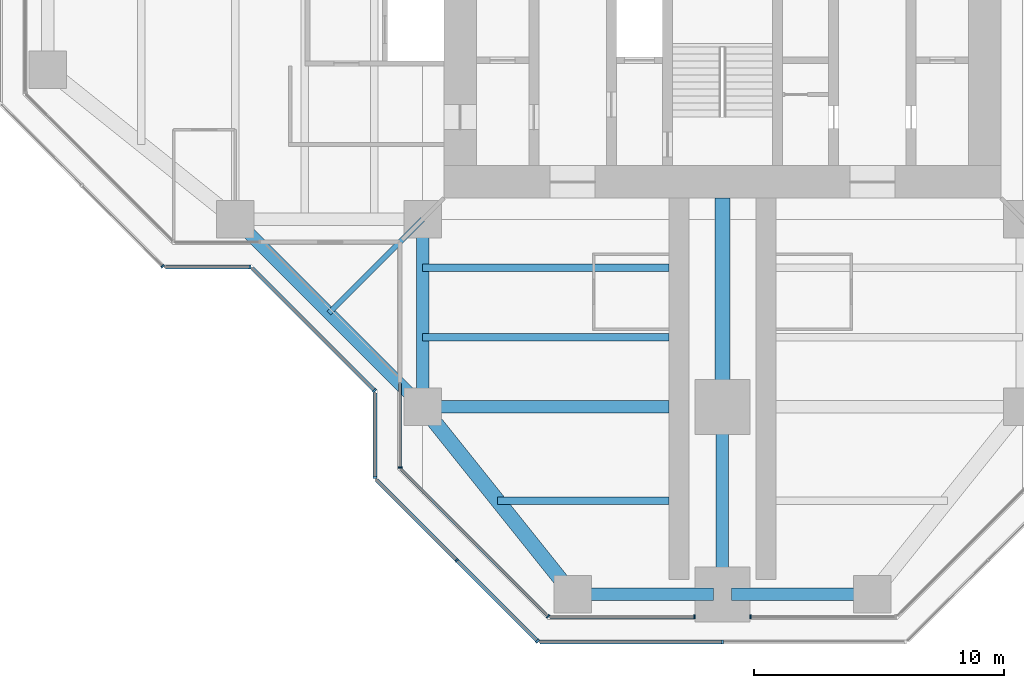
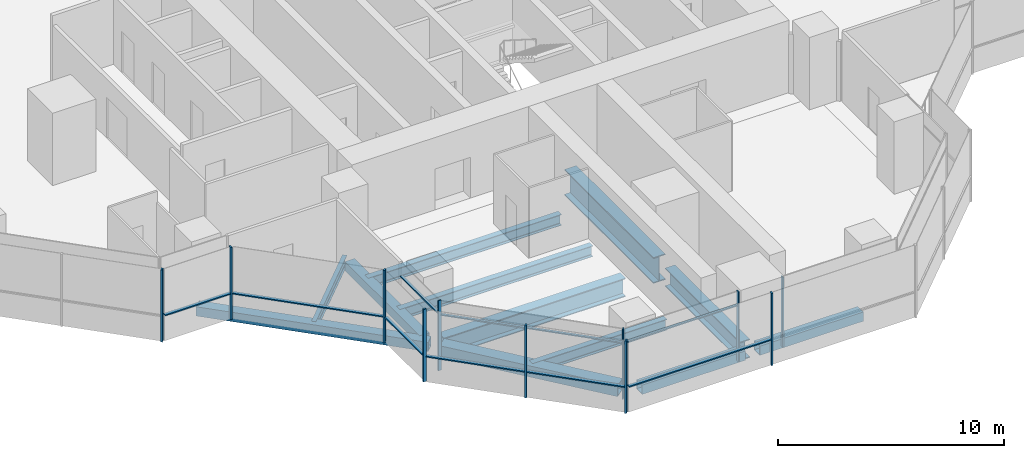
# One storey, part 2 of 17: 20 members, 12 beams, 10 elements without a shape of their own.
"""IFC4 building model written with IfcOpenShell, lengths in metres."""

import ifcopenshell
import ifcopenshell.guid

model = None  # the IFC model being written
_history = None  # IfcOwnerHistory: only IFC2X3 demands one
_inside = {}  # id of a spatial element -> (the spatial element, [elements in it])
_under = {}  # id of a project, library or spatial element -> (it, [spatial elements below it])
_declared = {}  # id of a project -> (the project, [libraries it declares])
_typed = {}  # id of a type object -> (the type object, [elements of that type])
_made_of = {}  # id of a material, layer set ... -> (it, [elements and type objects made of it])


def new_model(schema):
    """Start an empty IFC model of exactly this schema.

    Asked for "IFC4X3", IfcOpenShell would pick the latest addendum, in which some entities
    have other attributes; the version numbers below select the first issue.
    IFC2X3 requires an IfcOwnerHistory on every rooted entity: one is made here for all.
    """
    global model, _history
    if schema == "IFC4X3":
        model = ifcopenshell.file(schema_version=(4, 3, 0, 0))
    else:
        model = ifcopenshell.file(schema=schema)
    _inside.clear()
    _under.clear()
    _declared.clear()
    _typed.clear()
    _made_of.clear()
    _history = None
    if model.schema == "IFC2X3":
        org = make("IfcOrganization", Name="unknown")
        user = make(
            "IfcPersonAndOrganization",
            ThePerson=make("IfcPerson", FamilyName="unknown"),
            TheOrganization=org,
        )
        app = make(
            "IfcApplication",
            ApplicationDeveloper=org,
            Version="unknown",
            ApplicationFullName="unknown",
            ApplicationIdentifier="unknown",
        )
        _history = make(
            "IfcOwnerHistory",
            OwningUser=user,
            OwningApplication=app,
            ChangeAction="ADDED",
            CreationDate=0,
        )
    return model


def make(cls, **values):
    """One entity of the class cls with the attributes given. An attribute that is None is left unset."""
    return model.create_entity(
        cls, **{name: value for name, value in values.items() if value is not None}
    )


def rooted(cls, **values):
    """An entity with a GlobalId (a new one), such as an element, a storey or a relation."""
    return make(cls, GlobalId=ifcopenshell.guid.new(), OwnerHistory=_history, **values)


def si_unit(unit_type, name, prefix=None):
    """IfcSIUnit, for example si_unit("LENGTHUNIT", "METRE", prefix="MILLI")."""
    return make("IfcSIUnit", UnitType=unit_type, Prefix=prefix, Name=name)


def assignment(units):
    """IfcUnitAssignment: the units of a project."""
    return None if units is None else make("IfcUnitAssignment", Units=units)


def point(xyz):
    """IfcCartesianPoint."""
    return None if xyz is None else make("IfcCartesianPoint", Coordinates=xyz)


def direction(xyz):
    """IfcDirection."""
    return None if xyz is None else make("IfcDirection", DirectionRatios=xyz)


def frame(location, z_axis=None, x_axis=None):
    """IfcAxis2Placement3D, a coordinate frame: its origin and axes. An axis left out is left unset."""
    return make(
        "IfcAxis2Placement3D",
        Location=point(location),
        Axis=direction(z_axis),
        RefDirection=direction(x_axis),
    )


def frame_2d(location, x_axis=None):
    """IfcAxis2Placement2D, a coordinate frame in the plane: its origin and x axis."""
    return make(
        "IfcAxis2Placement2D", Location=point(location), RefDirection=direction(x_axis)
    )


def origin():
    """The frame at (0, 0, 0) with its axes left unset."""
    return frame((0.0, 0.0, 0.0))


def origin_2d():
    """The frame at (0, 0) in the plane with its x axis left unset."""
    return frame_2d((0.0, 0.0))


def place(relative_to, where):
    """IfcLocalPlacement: puts the frame where relative to a parent placement (None: the world)."""
    return make(
        "IfcLocalPlacement", PlacementRelTo=relative_to, RelativePlacement=where
    )


def context(
    kind, dimensions, precision=None, world=None, true_north=None, identifier=None
):
    """IfcGeometricRepresentationContext, for example the 3D "Model" context."""
    return make(
        "IfcGeometricRepresentationContext",
        ContextIdentifier=identifier,
        ContextType=kind,
        CoordinateSpaceDimension=dimensions,
        Precision=precision,
        WorldCoordinateSystem=world,
        TrueNorth=true_north,
    )


def subcontext(parent, identifier, kind, view, scale=None):
    """IfcGeometricRepresentationSubContext, for example "Body" below "Model"."""
    return make(
        "IfcGeometricRepresentationSubContext",
        ContextIdentifier=identifier,
        ContextType=kind,
        ParentContext=parent,
        TargetScale=scale,
        TargetView=view,
    )


def project(units=None, contexts=None):
    """IfcProject with its units and contexts."""
    return rooted(
        "IfcProject",
        Name="project",
        RepresentationContexts=contexts,
        UnitsInContext=assignment(units),
    )


def spatial(cls, under=None, at=None, **own):
    """A site, building, storey or space (cls), placed at a placement, below another one or the project."""
    s = rooted(cls, ObjectPlacement=at, **own)
    if under is not None:
        _under.setdefault(under.id(), (under, []))[1].append(s)
    return s


def profile(cls, at=None, kind="AREA", **sizes):
    """A parametric profile (cls). Its sizes go by their IFC names, for example OverallWidth=200.0."""
    return make(cls, ProfileType=kind, Position=at, **sizes)


def rectangle(**sizes):
    """IfcRectangleProfileDef."""
    return profile("IfcRectangleProfileDef", **sizes)


def hollow_rectangle(**sizes):
    """IfcRectangleHollowProfileDef."""
    return profile("IfcRectangleHollowProfileDef", **sizes)


def i_section(**sizes):
    """IfcIShapeProfileDef."""
    return profile("IfcIShapeProfileDef", **sizes)


def extrude(swept, where, along, depth):
    """IfcExtrudedAreaSolid: the profile swept, set in the frame where, extruded along a direction by depth."""
    return make(
        "IfcExtrudedAreaSolid",
        SweptArea=swept,
        Position=where,
        ExtrudedDirection=direction(along),
        Depth=depth,
    )


def shape(context_of_items, identifier, shape_type, items):
    """IfcShapeRepresentation: the items that make up one representation, for example the "Body"."""
    return make(
        "IfcShapeRepresentation",
        ContextOfItems=context_of_items,
        RepresentationIdentifier=identifier,
        RepresentationType=shape_type,
        Items=items,
    )


def material(Name=None, Category=None):
    """IfcMaterial."""
    return make("IfcMaterial", Name=Name, Category=Category)


def material_profile(
    of_material, cross_section, Name=None, Category=None, Priority=None
):
    """IfcMaterialProfile: a cross section and its material."""
    return make(
        "IfcMaterialProfile",
        Name=Name,
        Material=of_material,
        Profile=cross_section,
        Priority=Priority,
        Category=Category,
    )


def profile_set(profiles, Name=None, composite=None):
    """IfcMaterialProfileSet."""
    return make(
        "IfcMaterialProfileSet",
        Name=Name,
        MaterialProfiles=profiles,
        CompositeProfile=composite,
    )


def made_of(thing, what):
    """Note that an element or type object is made of a material, layer set ...; save() writes the relation."""
    if what is not None:
        _made_of.setdefault(what.id(), (what, []))[1].append(thing)
    return thing


def type_object(cls, material=None, **own):
    """A type object (cls), such as IfcWallType, which elements share."""
    return made_of(rooted(cls, **own), material)


def element(
    cls,
    number,
    at=None,
    inside=None,
    cuts=None,
    type_object=None,
    material=None,
    context=None,
    identifier="Body",
    shape_type=None,
    held_by="IfcProductDefinitionShape",
    body=None,
    shapes=None,
    **own,
):
    """One element of the class cls, such as IfcWall. Its Tag is "e" and its number.

    at: its placement. inside: the storey or other place that contains it. cuts: it is an
    opening in that element (IfcRelVoidsElement). A single representation is given by context,
    identifier, shape_type and body (its items); several are given by shapes. held_by: the class
    of the entity that holds the representations. save() writes the other relations.
    """
    e = rooted(cls, Tag="e%d" % number, ObjectPlacement=at, **own)
    if body is not None:
        shapes = [shape(context, identifier, shape_type, body)]
    if shapes is not None:
        e.Representation = make(held_by, Representations=shapes)
    if inside is not None:
        _inside.setdefault(inside.id(), (inside, []))[1].append(e)
    if cuts is not None:
        rooted(
            "IfcRelVoidsElement", RelatingBuildingElement=cuts, RelatedOpeningElement=e
        )
    if type_object is not None:
        _typed.setdefault(type_object.id(), (type_object, []))[1].append(e)
    return made_of(e, material)


def aggregate(whole, parts):
    """IfcRelAggregates: a whole, such as a stair, and the parts it consists of."""
    return rooted("IfcRelAggregates", RelatingObject=whole, RelatedObjects=parts)


def save(model, path):
    """Write the relations noted so far, then the file.

    IfcRelAggregates (storeys below a building ...), IfcRelContainedInSpatialStructure (elements
    in a storey), IfcRelDefinesByType, IfcRelAssociatesMaterial and IfcRelDeclares: one each for
    every whole, place, type object, material and project.
    """
    for whole, parts in _under.values():
        aggregate(whole, parts)
    for where, things in _inside.values():
        rooted(
            "IfcRelContainedInSpatialStructure",
            RelatedElements=things,
            RelatingStructure=where,
        )
    for kind, things in _typed.values():
        rooted("IfcRelDefinesByType", RelatedObjects=things, RelatingType=kind)
    for what, things in _made_of.values():
        rooted("IfcRelAssociatesMaterial", RelatedObjects=things, RelatingMaterial=what)
    for by, libraries in _declared.values():
        rooted("IfcRelDeclares", RelatingContext=by, RelatedDefinitions=libraries)
    model.write(path)


model = new_model("IFC4")

# Units and contexts
model_context = context("Model", 3, precision=1e-05, world=origin(), true_north=direction((0.0, 1.0)))
body_context = subcontext(model_context, "Body", "Model", "MODEL_VIEW")
ifc_project = project(units=[si_unit("LENGTHUNIT", "METRE"), si_unit("AREAUNIT", "SQUARE_METRE"), si_unit("VOLUMEUNIT", "CUBIC_METRE"), si_unit("PLANEANGLEUNIT", "RADIAN"), si_unit("MASSUNIT", "GRAM", prefix="KILO")], contexts=[model_context])

# Site, building, storey
site_placement = place(None, origin())
site = spatial("IfcSite", under=ifc_project, at=site_placement, CompositionType="ELEMENT")
building_placement = place(site_placement, origin())
building = spatial("IfcBuilding", under=site, at=building_placement, Name="Mizan Broadcast Tower", CompositionType="ELEMENT")
storey_placement = place(building_placement, frame((0.0, 0.0, 255.60009765625)))
storey = spatial("IfcBuildingStorey", under=building, at=storey_placement, Name="L60", CompositionType="ELEMENT", Elevation=255.60009765625)

# Beams
ifc_material_1 = material(Name="Steel S355", Category="steel")
ifc_material_profile_1 = material_profile(ifc_material_1, hollow_rectangle(XDim=0.5, YDim=0.5, WallThickness=0.030029296875, at=origin_2d()), Name="BOX 500x500x30")
ifc_profile_set_1 = profile_set([ifc_material_profile_1], Name="Steel S355")
beam_type_1 = type_object("IfcBeamType", Name="EDGE BEAM BOX 500x500x30", PredefinedType="SPANDREL", material=ifc_profile_set_1)
beam_1_placement = place(storey_placement, frame((-12.0, -12.449951171875, -0.380126953125), z_axis=(0.0, -1.0, 0.0), x_axis=(1.0, 0.0, 0.0)))
element("IfcBeam", 1, at=beam_1_placement, inside=storey, type_object=beam_type_1, Name="Edge beam BOX 500x500x30 L60 south arm", PredefinedType="SPANDREL", context=body_context, shape_type="SweptSolid", body=[
    extrude(hollow_rectangle(XDim=0.5, YDim=0.5, WallThickness=0.030029296875, at=origin_2d()), origin(), (0.0, 0.0, 1.0), 6.60009765625),
])
for number, where, z_axis, x_axis, name in (
    (2, (-5.639892578125, -27.0, -0.380126953125), (1.0, 0.0, 0.0), (0.0, 1.0, 0.0), "Edge beam BOX 500x500x30 L60 south arm"),
    (3, (5.639892578125, -27.0, -0.380126953125), (-1.0, 0.0, 0.0), (0.0, -1.0, 0.0), "Edge beam BOX 500x500x30 L60 south arm"),
):
    element("IfcBeam", number, at=place(storey_placement, frame(where, z_axis=z_axis, x_axis=x_axis)), inside=storey, type_object=beam_type_1, Name=name, PredefinedType="SPANDREL", context=body_context, shape_type="SweptSolid", body=[
        extrude(hollow_rectangle(XDim=0.5, YDim=0.5, WallThickness=0.030029296875, at=origin_2d()), origin(), (0.0, 0.0, 1.0), 5.27978515625),
    ])
beam_2_placement = place(storey_placement, frame((-19.5, -12.0, -0.380126953125), z_axis=(0.707106781187, -0.707106781187, 0.0), x_axis=(0.707106781187, 0.707106781187, 0.0)))
element("IfcBeam", 4, at=beam_2_placement, inside=storey, type_object=beam_type_1, Name="Winter garden edge beam L60 W", PredefinedType="SPANDREL", context=body_context, shape_type="SweptSolid", body=[
    extrude(hollow_rectangle(XDim=0.5, YDim=0.5, WallThickness=0.030029296875, at=origin_2d()), origin(), (0.0, 0.0, 1.0), 10.606689453125),
])
ifc_material_2 = material(Name="Steel S355", Category="steel")
ifc_material_profile_2 = material_profile(ifc_material_2, hollow_rectangle(XDim=0.60009765625, YDim=0.60009765625, WallThickness=0.030029296875, at=origin_2d()), Name="BOX 600x600x30")
ifc_profile_set_2 = profile_set([ifc_material_profile_2], Name="Steel S355")
beam_type_2 = type_object("IfcBeamType", Name="EDGE BEAM BOX 600x600x30", PredefinedType="SPANDREL", material=ifc_profile_set_2)
beam_3_placement = place(storey_placement, frame((-11.639892578125, -19.949951171875, -0.43017578125), z_axis=(0.624673911726, -0.780885717636, 0.0), x_axis=(0.780885717636, 0.624673911726, 0.0)))
element("IfcBeam", 5, at=beam_3_placement, inside=storey, type_object=beam_type_2, Name="Edge beam BOX 600x600x30 L60 south arm", PredefinedType="SPANDREL", context=body_context, shape_type="SweptSolid", body=[
    extrude(hollow_rectangle(XDim=0.60009765625, YDim=0.60009765625, WallThickness=0.030029296875, at=origin_2d()), origin(), (0.0, 0.0, 1.0), 8.4521484375),
])
ifc_material_3 = material(Name="Steel S460", Category="steel")
ifc_material_profile_3 = material_profile(ifc_material_3, i_section(OverallWidth=0.5, OverallDepth=1.0, WebThickness=0.02490234375, FlangeThickness=0.050048828125, at=origin_2d()), Name="WPG 1000x500")
ifc_profile_set_3 = profile_set([ifc_material_profile_3], Name="Steel S460")
beam_type_3 = type_object("IfcBeamType", Name="GIRDER WPG 1000x500", PredefinedType="BEAM", material=ifc_profile_set_3)
beam_4_placement = place(storey_placement, frame((0.0, -19.949951171875, -0.630126953125), z_axis=(0.0, -1.0, 0.0), x_axis=(1.0, 0.0, 0.0)))
element("IfcBeam", 6, at=beam_4_placement, inside=storey, type_object=beam_type_3, Name="Girder WPG 1000x500 L60 south arm", PredefinedType="BEAM", context=body_context, shape_type="SweptSolid", body=[
    extrude(i_section(OverallWidth=0.5, OverallDepth=1.0, WebThickness=0.02490234375, FlangeThickness=0.050048828125, at=origin_2d()), origin(), (0.0, 0.0, 1.0), 6.60009765625),
])
beam_5_placement = place(storey_placement, frame((-11.408935546875, -19.5, -0.630126953125), z_axis=(1.0, 0.0, 0.0), x_axis=(0.0, 1.0, 0.0)))
element("IfcBeam", 7, at=beam_5_placement, inside=storey, type_object=beam_type_3, Name="Girder WPG 1000x500 L60 south arm", PredefinedType="BEAM", context=body_context, shape_type="SweptSolid", body=[
    extrude(i_section(OverallWidth=0.5, OverallDepth=1.0, WebThickness=0.02490234375, FlangeThickness=0.050048828125, at=origin_2d()), origin(), (0.0, 0.0, 1.0), 9.259033203125),
])
ifc_material_4 = material(Name="Steel S460", Category="steel")
ifc_material_profile_4 = material_profile(ifc_material_4, i_section(OverallWidth=0.60009765625, OverallDepth=1.39990234375, WebThickness=0.02490234375, FlangeThickness=0.06005859375, at=origin_2d()), Name="WPG 1400x600")
ifc_profile_set_4 = profile_set([ifc_material_profile_4], Name="Steel S460")
beam_type_4 = type_object("IfcBeamType", Name="GIRDER WPG 1400x600", PredefinedType="BEAM", material=ifc_profile_set_4)
beam_6_placement = place(storey_placement, frame((0.0, -11.14990234375, -0.830078125), z_axis=(0.0, -1.0, 0.0), x_axis=(1.0, 0.0, 0.0)))
element("IfcBeam", 8, at=beam_6_placement, inside=storey, type_object=beam_type_4, Name="Girder WPG 1400x600 L60 south arm", PredefinedType="BEAM", context=body_context, shape_type="SweptSolid", body=[
    extrude(i_section(OverallWidth=0.60009765625, OverallDepth=1.39990234375, WebThickness=0.02490234375, FlangeThickness=0.06005859375, at=origin_2d()), origin(), (0.0, 0.0, 1.0), 7.84912109375),
])

# Curtain wall, member
ifc_material_5 = material(Name="Aluminium framed glazing", Category="aluminium")
curtain_wall_type_1 = type_object("IfcCurtainWallType", Name="INNER SKIN HIGH ZONE", PredefinedType="USERDEFINED", material=ifc_material_5)
curtain_wall_1_placement = place(storey_placement, origin())
curtain_wall_1 = element("IfcCurtainWall", 9, at=curtain_wall_1_placement, inside=storey, type_object=curtain_wall_type_1, Name="Inner skin high zone L60 S side", ObjectType="INNER SKIN HIGH ZONE", PredefinedType="USERDEFINED")
ifc_material_6 = material(Name="Aluminium, pale anodised", Category="aluminium")
ifc_material_profile_5 = material_profile(ifc_material_6, rectangle(XDim=0.159912109375, YDim=0.06005859375, at=origin_2d()), Name="MULLION 160x60")
ifc_profile_set_5 = profile_set([ifc_material_profile_5], Name="Aluminium, pale anodised")
member_type_1 = type_object("IfcMemberType", Name="INNER SKIN MULLION 60x160", PredefinedType="MULLION", material=ifc_profile_set_5)
member_1_placement = place(storey_placement, frame((-12.89990234375, -21.928466796875, 0.0), z_axis=(0.0, 0.0, 1.0), x_axis=(1.0, 0.0, 0.0)))
member_1 = element("IfcMember", 10, at=member_1_placement, type_object=member_type_1, Name="Inner skin high zone L60 S side mullion 2", PredefinedType="MULLION", context=body_context, shape_type="SweptSolid", body=[
    extrude(rectangle(XDim=0.159912109375, YDim=0.06005859375, at=origin_2d()), origin(), (0.0, 0.0, 1.0), 3.77001953125),
])

curtain_wall_2_placement = place(storey_placement, origin())
curtain_wall_2 = element("IfcCurtainWall", 11, at=curtain_wall_2_placement, inside=storey, type_object=curtain_wall_type_1, Name="Inner skin high zone L60 S chamfer", ObjectType="INNER SKIN HIGH ZONE", PredefinedType="USERDEFINED")
member_2_placement = place(storey_placement, frame((-6.979736328125, -27.87890625, 0.0), z_axis=(0.0, 0.0, 1.0), x_axis=(0.707106781187, 0.707106781187, 0.0)))
member_2 = element("IfcMember", 12, at=member_2_placement, type_object=member_type_1, Name="Inner skin high zone L60 S chamfer mullion 2", PredefinedType="MULLION", context=body_context, shape_type="SweptSolid", body=[
    extrude(rectangle(XDim=0.159912109375, YDim=0.06005859375, at=origin_2d()), origin(), (0.0, 0.0, 1.0), 3.77001953125),
])

curtain_wall_3_placement = place(storey_placement, origin())
curtain_wall_3 = element("IfcCurtainWall", 13, at=curtain_wall_3_placement, inside=storey, type_object=curtain_wall_type_1, Name="Inner skin high zone L60 S end", ObjectType="INNER SKIN HIGH ZONE", PredefinedType="USERDEFINED")
member_3_placement = place(storey_placement, frame((-1.1298828125, -27.89990234375, 0.0), z_axis=(0.0, 0.0, 1.0), x_axis=(0.0, 1.0, 0.0)))
member_3 = element("IfcMember", 14, at=member_3_placement, type_object=member_type_1, Name="Inner skin high zone L60 S end mullion 2", PredefinedType="MULLION", context=body_context, shape_type="SweptSolid", body=[
    extrude(rectangle(XDim=0.159912109375, YDim=0.06005859375, at=origin_2d()), origin(), (0.0, 0.0, 1.0), 3.77001953125),
])

curtain_wall_4_placement = place(storey_placement, origin())
curtain_wall_4 = element("IfcCurtainWall", 15, at=curtain_wall_4_placement, inside=storey, type_object=curtain_wall_type_1, Name="Inner skin high zone L60 S end", ObjectType="INNER SKIN HIGH ZONE", PredefinedType="USERDEFINED")
member_4_placement = place(storey_placement, frame((1.1298828125, -27.89990234375, 0.0), z_axis=(0.0, 0.0, 1.0), x_axis=(0.0, 1.0, 0.0)))
member_4 = element("IfcMember", 16, at=member_4_placement, type_object=member_type_1, Name="Inner skin high zone L60 S end mullion 1", PredefinedType="MULLION", context=body_context, shape_type="SweptSolid", body=[
    extrude(rectangle(XDim=0.159912109375, YDim=0.06005859375, at=origin_2d()), origin(), (0.0, 0.0, 1.0), 3.77001953125),
])
aggregate(curtain_wall_4, [member_4])

# Member
ifc_material_7 = material(Name="Aluminium, pale anodised", Category="aluminium")
ifc_material_profile_6 = material_profile(ifc_material_7, rectangle(XDim=0.1201171875, YDim=0.06005859375, at=origin_2d()), Name="TRANSOM 120x60")
ifc_profile_set_6 = profile_set([ifc_material_profile_6], Name="Aluminium, pale anodised")
member_type_2 = type_object("IfcMemberType", Name="INNER SKIN TRANSOM 60x120", PredefinedType="USERDEFINED", material=ifc_profile_set_6)
member_5_placement = place(storey_placement, frame((-12.89990234375, -18.56005859375, 3.02978515625), z_axis=(0.0, -1.0, 0.0), x_axis=(1.0, 0.0, 0.0)))
member_5 = element("IfcMember", 17, at=member_5_placement, type_object=member_type_2, Name="Inner skin high zone L60 S side transom 1.1", ObjectType="TRANSOM", PredefinedType="USERDEFINED", context=body_context, shape_type="SweptSolid", body=[
    extrude(rectangle(XDim=0.1201171875, YDim=0.06005859375, at=origin_2d()), origin(), (0.0, 0.0, 1.0), 3.338623046875),
])

aggregate(curtain_wall_1, [member_1, member_5])

member_6_placement = place(storey_placement, frame((-12.857666015625, -22.0009765625, 3.02978515625), z_axis=(0.707106781187, -0.707106781187, 0.0), x_axis=(0.707106781187, 0.707106781187, 0.0)))
member_6 = element("IfcMember", 18, at=member_6_placement, type_object=member_type_2, Name="Inner skin high zone L60 S chamfer transom 1.1", ObjectType="TRANSOM", PredefinedType="USERDEFINED", context=body_context, shape_type="SweptSolid", body=[
    extrude(rectangle(XDim=0.1201171875, YDim=0.06005859375, at=origin_2d()), origin(), (0.0, 0.0, 1.0), 8.28271484375),
])

aggregate(curtain_wall_2, [member_2, member_6])

member_7_placement = place(storey_placement, frame((-6.898681640625, -27.89990234375, 3.02978515625), z_axis=(1.0, 0.0, 0.0), x_axis=(0.0, 1.0, 0.0)))
member_7 = element("IfcMember", 19, at=member_7_placement, type_object=member_type_2, Name="Inner skin high zone L60 S end transom 1.1", ObjectType="TRANSOM", PredefinedType="USERDEFINED", context=body_context, shape_type="SweptSolid", body=[
    extrude(rectangle(XDim=0.1201171875, YDim=0.06005859375, at=origin_2d()), origin(), (0.0, 0.0, 1.0), 5.73876953125),
])

aggregate(curtain_wall_3, [member_3, member_7])

# Curtain wall, member
ifc_material_8 = material(Name="Aluminium framed glazing", Category="aluminium")
curtain_wall_type_2 = type_object("IfcCurtainWallType", Name="OUTER SKIN", PredefinedType="USERDEFINED", material=ifc_material_8)
curtain_wall_5_placement = place(storey_placement, origin())
curtain_wall_5 = element("IfcCurtainWall", 20, at=curtain_wall_5_placement, inside=storey, type_object=curtain_wall_type_2, Name="Outer skin L60 W chamfer", ObjectType="OUTER SKIN", PredefinedType="USERDEFINED")
ifc_material_9 = material(Name="Aluminium, pale anodised", Category="aluminium")
ifc_material_profile_7 = material_profile(ifc_material_9, rectangle(XDim=0.159912109375, YDim=0.080078125, at=origin_2d()), Name="MULLION 160x80")
ifc_profile_set_7 = profile_set([ifc_material_profile_7], Name="Aluminium, pale anodised")
member_type_3 = type_object("IfcMemberType", Name="OUTER SKIN MULLION 80x160", PredefinedType="MULLION", material=ifc_profile_set_7)
member_8_placement = place(storey_placement, frame((-22.401123046875, -13.871826171875, 0.0), z_axis=(0.0, 0.0, 1.0), x_axis=(0.707106781187, 0.707106781187, 0.0)))
member_8 = element("IfcMember", 21, at=member_8_placement, type_object=member_type_3, Name="Outer skin L60 W chamfer mullion 3", PredefinedType="MULLION", context=body_context, shape_type="SweptSolid", body=[
    extrude(rectangle(XDim=0.159912109375, YDim=0.080078125, at=origin_2d()), origin(), (0.0, 0.0, 1.0), 3.89990234375),
])
aggregate(curtain_wall_5, [member_8])

curtain_wall_6_placement = place(storey_placement, origin())
curtain_wall_6 = element("IfcCurtainWall", 22, at=curtain_wall_6_placement, inside=storey, type_object=curtain_wall_type_2, Name="Outer skin L60 W side", ObjectType="OUTER SKIN", PredefinedType="USERDEFINED")
member_9_placement = place(storey_placement, frame((-18.912841796875, -13.89990234375, 0.0), z_axis=(0.0, 0.0, 1.0), x_axis=(0.0, 1.0, 0.0)))
member_9 = element("IfcMember", 23, at=member_9_placement, type_object=member_type_3, Name="Outer skin L60 W side mullion 2", PredefinedType="MULLION", context=body_context, shape_type="SweptSolid", body=[
    extrude(rectangle(XDim=0.159912109375, YDim=0.080078125, at=origin_2d()), origin(), (0.0, 0.0, 1.0), 3.89990234375),
])

curtain_wall_7_placement = place(storey_placement, origin())
curtain_wall_7 = element("IfcCurtainWall", 24, at=curtain_wall_7_placement, inside=storey, type_object=curtain_wall_type_2, Name="Outer skin L60 W chamfer", ObjectType="OUTER SKIN", PredefinedType="USERDEFINED")
member_10_placement = place(storey_placement, frame((-13.92822265625, -18.844482421875, 0.0), z_axis=(0.0, 0.0, 1.0), x_axis=(0.707106781187, 0.707106781187, 0.0)))
member_10 = element("IfcMember", 25, at=member_10_placement, type_object=member_type_3, Name="Outer skin L60 W chamfer mullion 2", PredefinedType="MULLION", context=body_context, shape_type="SweptSolid", body=[
    extrude(rectangle(XDim=0.159912109375, YDim=0.080078125, at=origin_2d()), origin(), (0.0, 0.0, 1.0), 3.89990234375),
])

curtain_wall_8_placement = place(storey_placement, origin())
curtain_wall_8 = element("IfcCurtainWall", 26, at=curtain_wall_8_placement, inside=storey, type_object=curtain_wall_type_2, Name="Outer skin L60 S side", ObjectType="OUTER SKIN", PredefinedType="USERDEFINED")
member_11_placement = place(storey_placement, frame((-13.89990234375, -22.332763671875, 0.0), z_axis=(0.0, 0.0, 1.0), x_axis=(1.0, 0.0, 0.0)))
member_11 = element("IfcMember", 27, at=member_11_placement, type_object=member_type_3, Name="Outer skin L60 S side mullion 2", PredefinedType="MULLION", context=body_context, shape_type="SweptSolid", body=[
    extrude(rectangle(XDim=0.159912109375, YDim=0.080078125, at=origin_2d()), origin(), (0.0, 0.0, 1.0), 3.89990234375),
])

# Curtain wall, members
curtain_wall_9_placement = place(storey_placement, origin())
curtain_wall_9 = element("IfcCurtainWall", 28, at=curtain_wall_9_placement, inside=storey, type_object=curtain_wall_type_2, Name="Outer skin L60 S chamfer", ObjectType="OUTER SKIN", PredefinedType="USERDEFINED")
member_12_placement = place(storey_placement, frame((-10.636474609375, -25.636474609375, 0.0), z_axis=(0.0, 0.0, 1.0), x_axis=(0.707106781187, 0.707106781187, 0.0)))
member_12 = element("IfcMember", 29, at=member_12_placement, type_object=member_type_3, Name="Outer skin L60 S chamfer mullion 2", PredefinedType="MULLION", context=body_context, shape_type="SweptSolid", body=[
    extrude(rectangle(XDim=0.159912109375, YDim=0.080078125, at=origin_2d()), origin(), (0.0, 0.0, 1.0), 3.89990234375),
])
member_13_placement = place(storey_placement, frame((-7.401123046875, -28.871826171875, 0.0), z_axis=(0.0, 0.0, 1.0), x_axis=(0.707106781187, 0.707106781187, 0.0)))
member_13 = element("IfcMember", 30, at=member_13_placement, type_object=member_type_3, Name="Outer skin L60 S chamfer mullion 3", PredefinedType="MULLION", context=body_context, shape_type="SweptSolid", body=[
    extrude(rectangle(XDim=0.159912109375, YDim=0.080078125, at=origin_2d()), origin(), (0.0, 0.0, 1.0), 3.89990234375),
])

# Curtain wall, member
curtain_wall_10_placement = place(storey_placement, origin())
curtain_wall_10 = element("IfcCurtainWall", 31, at=curtain_wall_10_placement, inside=storey, type_object=curtain_wall_type_2, Name="Outer skin L60 S end", ObjectType="OUTER SKIN", PredefinedType="USERDEFINED")
member_14_placement = place(storey_placement, frame((0.0, -28.89990234375, 0.0), z_axis=(0.0, 0.0, 1.0), x_axis=(0.0, 1.0, 0.0)))
member_14 = element("IfcMember", 32, at=member_14_placement, type_object=member_type_3, Name="Outer skin L60 S end mullion 2", PredefinedType="MULLION", context=body_context, shape_type="SweptSolid", body=[
    extrude(rectangle(XDim=0.159912109375, YDim=0.080078125, at=origin_2d()), origin(), (0.0, 0.0, 1.0), 3.89990234375),
])

# Member
ifc_material_10 = material(Name="Aluminium, pale anodised", Category="aluminium")
ifc_material_profile_8 = material_profile(ifc_material_10, rectangle(XDim=0.159912109375, YDim=0.06005859375, at=origin_2d()), Name="TRANSOM 160x60")
ifc_profile_set_8 = profile_set([ifc_material_profile_8], Name="Aluminium, pale anodised")
member_type_4 = type_object("IfcMemberType", Name="OUTER SKIN TRANSOM 60x160", PredefinedType="USERDEFINED", material=ifc_profile_set_8)
member_15_placement = place(storey_placement, frame((-22.292724609375, -13.89990234375, 1.39990234375), z_axis=(1.0, 0.0, 0.0), x_axis=(0.0, 1.0, 0.0)))
member_15 = element("IfcMember", 33, at=member_15_placement, type_object=member_type_4, Name="Outer skin L60 W side transom 1.1", ObjectType="TRANSOM", PredefinedType="USERDEFINED", context=body_context, shape_type="SweptSolid", body=[
    extrude(rectangle(XDim=0.159912109375, YDim=0.06005859375, at=origin_2d()), origin(), (0.0, 0.0, 1.0), 3.33984375),
])

aggregate(curtain_wall_6, [member_9, member_15])

member_16_placement = place(storey_placement, frame((-18.816162109375, -13.95654296875, 1.39990234375), z_axis=(0.707106781187, -0.707106781187, 0.0), x_axis=(0.707106781187, 0.707106781187, 0.0)))
member_16 = element("IfcMember", 34, at=member_16_placement, type_object=member_type_4, Name="Outer skin L60 W chamfer transom 1.1", ObjectType="TRANSOM", PredefinedType="USERDEFINED", context=body_context, shape_type="SweptSolid", body=[
    extrude(rectangle(XDim=0.159912109375, YDim=0.06005859375, at=origin_2d()), origin(), (0.0, 0.0, 1.0), 6.87255859375),
])

aggregate(curtain_wall_7, [member_10, member_16])

member_17_placement = place(storey_placement, frame((-13.89990234375, -18.952880859375, 1.39990234375), z_axis=(0.0, -1.0, 0.0), x_axis=(1.0, 0.0, 0.0)))
member_17 = element("IfcMember", 35, at=member_17_placement, type_object=member_type_4, Name="Outer skin L60 S side transom 1.1", ObjectType="TRANSOM", PredefinedType="USERDEFINED", context=body_context, shape_type="SweptSolid", body=[
    extrude(rectangle(XDim=0.159912109375, YDim=0.06005859375, at=origin_2d()), origin(), (0.0, 0.0, 1.0), 3.33984375),
])

aggregate(curtain_wall_8, [member_11, member_17])

member_18_placement = place(storey_placement, frame((-13.843505859375, -22.429443359375, 1.39990234375), z_axis=(0.707106781187, -0.707106781187, 0.0), x_axis=(0.707106781187, 0.707106781187, 0.0)))
member_18 = element("IfcMember", 36, at=member_18_placement, type_object=member_type_4, Name="Outer skin L60 S chamfer transom 1.1", ObjectType="TRANSOM", PredefinedType="USERDEFINED", context=body_context, shape_type="SweptSolid", body=[
    extrude(rectangle(XDim=0.159912109375, YDim=0.06005859375, at=origin_2d()), origin(), (0.0, 0.0, 1.0), 4.495361328125),
])

member_19_placement = place(storey_placement, frame((-10.608154296875, -25.664794921875, 1.39990234375), z_axis=(0.707106781187, -0.707106781187, 0.0), x_axis=(0.707106781187, 0.707106781187, 0.0)))
member_19 = element("IfcMember", 37, at=member_19_placement, type_object=member_type_4, Name="Outer skin L60 S chamfer transom 2.1", ObjectType="TRANSOM", PredefinedType="USERDEFINED", context=body_context, shape_type="SweptSolid", body=[
    extrude(rectangle(XDim=0.159912109375, YDim=0.06005859375, at=origin_2d()), origin(), (0.0, 0.0, 1.0), 4.495361328125),
])

aggregate(curtain_wall_9, [member_12, member_13, member_18, member_19])

member_20_placement = place(storey_placement, frame((-7.292724609375, -28.89990234375, 1.39990234375), z_axis=(1.0, 0.0, 0.0), x_axis=(0.0, 1.0, 0.0)))
member_20 = element("IfcMember", 38, at=member_20_placement, type_object=member_type_4, Name="Outer skin L60 S end transom 1.1", ObjectType="TRANSOM", PredefinedType="USERDEFINED", context=body_context, shape_type="SweptSolid", body=[
    extrude(rectangle(XDim=0.159912109375, YDim=0.06005859375, at=origin_2d()), origin(), (0.0, 0.0, 1.0), 7.252685546875),
])

aggregate(curtain_wall_10, [member_14, member_20])

# Beams
ifc_material_11 = material(Name="Steel S355", Category="steel")
ifc_material_profile_9 = material_profile(ifc_material_11, i_section(OverallWidth=0.300048828125, OverallDepth=0.590087890625, WebThickness=0.012939453125, FlangeThickness=0.02490234375, FilletRadius=0.027099609375, at=origin_2d()), Name="HEA 600")
ifc_profile_set_9 = profile_set([ifc_material_profile_9], Name="Steel S355")
beam_type_5 = type_object("IfcBeamType", Name="SECONDARY BEAM HEA 600", PredefinedType="JOIST", material=ifc_profile_set_9)
for number, where, z_axis, x_axis, name in (
    (39, (-12.0, -13.933349609375, -0.425048828125), (1.0, 0.0, 0.0), (0.0, 1.0, 0.0), "Secondary beam HEA 600 L60 south arm"),
    (40, (-12.0, -16.716552734375, -0.425048828125), (1.0, 0.0, 0.0), (0.0, 1.0, 0.0), "Secondary beam HEA 600 L60 south arm"),
):
    element("IfcBeam", number, at=place(storey_placement, frame(where, z_axis=z_axis, x_axis=x_axis)), inside=storey, type_object=beam_type_5, Name=name, PredefinedType="JOIST", context=body_context, shape_type="SweptSolid", body=[
        extrude(i_section(OverallWidth=0.300048828125, OverallDepth=0.590087890625, WebThickness=0.012939453125, FlangeThickness=0.02490234375, FilletRadius=0.027099609375, at=origin_2d()), origin(), (0.0, 0.0, 1.0), 9.85009765625),
    ])
beam_7_placement = place(storey_placement, frame((-9.0, -23.25, -0.425048828125), z_axis=(1.0, 0.0, 0.0), x_axis=(0.0, 1.0, 0.0)))
element("IfcBeam", 41, at=beam_7_placement, inside=storey, type_object=beam_type_5, Name="Secondary beam HEA 600 L60 south arm", PredefinedType="JOIST", context=body_context, shape_type="SweptSolid", body=[
    extrude(i_section(OverallWidth=0.300048828125, OverallDepth=0.590087890625, WebThickness=0.012939453125, FlangeThickness=0.02490234375, FilletRadius=0.027099609375, at=origin_2d()), origin(), (0.0, 0.0, 1.0), 6.85009765625),
])
ifc_material_12 = material(Name="Steel S355", Category="steel")
ifc_material_profile_10 = material_profile(ifc_material_12, i_section(OverallWidth=0.2099609375, OverallDepth=0.550048828125, WebThickness=0.010986328125, FlangeThickness=0.01708984375, FilletRadius=0.02392578125, at=origin_2d()), Name="IPE 550")
ifc_profile_set_10 = profile_set([ifc_material_profile_10], Name="Steel S355")
beam_type_6 = type_object("IfcBeamType", Name="SECONDARY BEAM IPE 550", PredefinedType="JOIST", material=ifc_profile_set_10)
beam_8_placement = place(storey_placement, frame((-12.0, -12.0, -0.405029296875), z_axis=(-0.707106781187, -0.707106781187, 0.0), x_axis=(0.707106781187, -0.707106781187, 0.0)))
element("IfcBeam", 42, at=beam_8_placement, inside=storey, type_object=beam_type_6, Name="Winter garden beam L60 W", PredefinedType="JOIST", context=body_context, shape_type="SweptSolid", body=[
    extrude(i_section(OverallWidth=0.2099609375, OverallDepth=0.550048828125, WebThickness=0.010986328125, FlangeThickness=0.01708984375, FilletRadius=0.02392578125, at=origin_2d()), origin(), (0.0, 0.0, 1.0), 5.30322265625),
])

save(model, "model.ifc")
